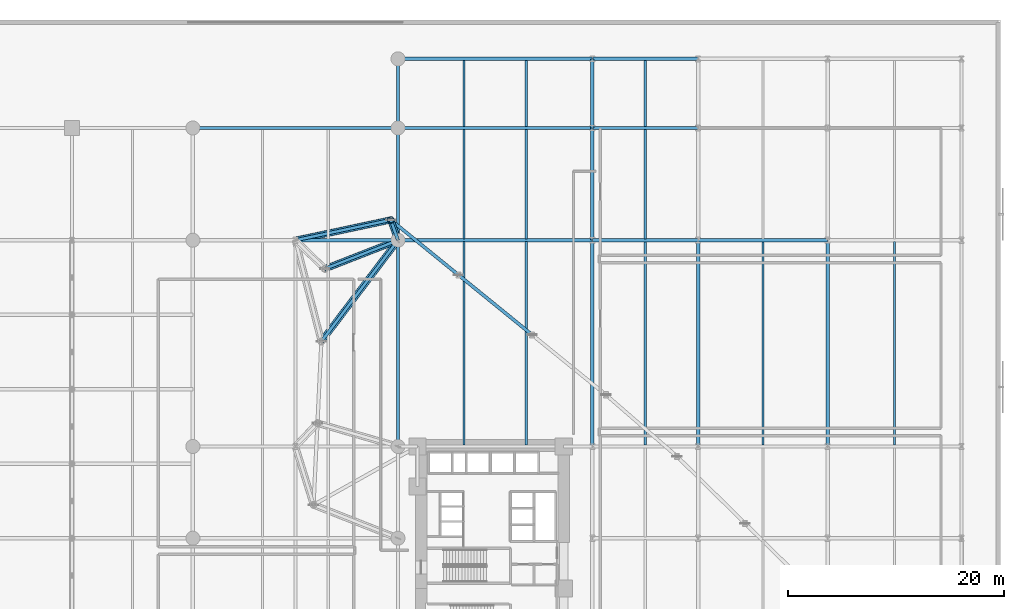
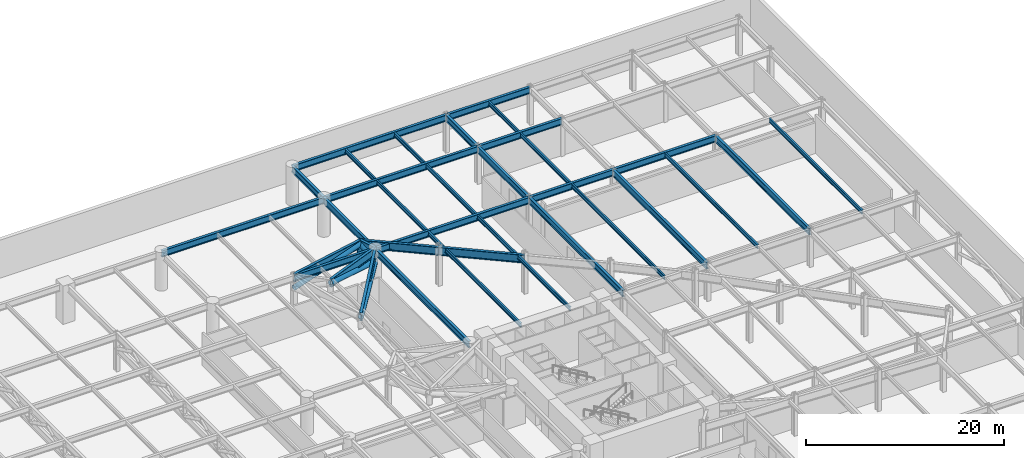
# One storey, part 21 of 40: 34 beams, 5 members.
"""IFC4 building model written with IfcOpenShell, lengths in metres."""

from ifc_helpers import new_model, si_unit, direction, frame, origin, origin_2d, place, context, subcontext, project, spatial, hollow_circle, i_section, extrude, material, material_profile, profile_set, type_object, element, save


model = new_model("IFC4")

# Units and contexts
model_context = context("Model", 3, precision=1e-05, world=origin(), true_north=direction((0.0, 1.0)))
body_context = subcontext(model_context, "Body", "Model", "MODEL_VIEW")
ifc_project = project(units=[si_unit("LENGTHUNIT", "METRE"), si_unit("AREAUNIT", "SQUARE_METRE"), si_unit("VOLUMEUNIT", "CUBIC_METRE"), si_unit("PLANEANGLEUNIT", "RADIAN"), si_unit("MASSUNIT", "GRAM", prefix="KILO")], contexts=[model_context])

# Site, building, storey
site_placement = place(None, origin())
site = spatial("IfcSite", under=ifc_project, at=site_placement, CompositionType="ELEMENT")
building_placement = place(site_placement, origin())
building = spatial("IfcBuilding", under=site, at=building_placement, Name="Narakoshi Arena Tower", CompositionType="ELEMENT")
storey_placement = place(building_placement, frame((0.0, 0.0, 21.60009765625)))
storey = spatial("IfcBuildingStorey", under=building, at=storey_placement, Name="L05", CompositionType="ELEMENT", Elevation=21.60009765625)

# Beams
ifc_material_1 = material(Name="Structural steel S460ML", Category="steel")
ifc_material_profile_1 = material_profile(ifc_material_1, i_section(OverallWidth=0.300048828125, OverallDepth=0.800048828125, WebThickness=0.017578125, FlangeThickness=0.032958984375, FilletRadius=0.030029296875, at=origin_2d()), Name="HE800B")
ifc_profile_set_1 = profile_set([ifc_material_profile_1], Name="Structural steel S460ML")
beam_type_1 = type_object("IfcBeamType", Name="BM-PRI-800", PredefinedType="BEAM", material=ifc_profile_set_1)
beam_1_placement = place(storey_placement, frame((60.699951171875, 75.60009765625, 4.199951171875), z_axis=(1.0, 0.0, 0.0), x_axis=(0.0, 1.0, 0.0)))
element("IfcBeam", 1, at=beam_1_placement, inside=storey, type_object=beam_type_1, Name="L05 Podium Primary X-Girder 048", PredefinedType="BEAM", context=body_context, shape_type="SweptSolid", body=[
    extrude(i_section(OverallWidth=0.300048828125, OverallDepth=0.800048828125, WebThickness=0.017578125, FlangeThickness=0.032958984375, FilletRadius=0.030029296875, at=origin_2d()), origin(), (0.0, 0.0, 1.0), 9.5),
])
beam_2_placement = place(storey_placement, frame((70.199951171875, 75.60009765625, 4.199951171875), z_axis=(1.0, 0.0, 0.0), x_axis=(0.0, 1.0, 0.0)))
element("IfcBeam", 2, at=beam_2_placement, inside=storey, type_object=beam_type_1, Name="L05 Podium Primary X-Girder 049", PredefinedType="BEAM", context=body_context, shape_type="SweptSolid", body=[
    extrude(i_section(OverallWidth=0.300048828125, OverallDepth=0.800048828125, WebThickness=0.017578125, FlangeThickness=0.032958984375, FilletRadius=0.030029296875, at=origin_2d()), origin(), (0.0, 0.0, 1.0), 18.0),
])
beam_3_placement = place(storey_placement, frame((88.199951171875, 75.60009765625, 4.199951171875), z_axis=(1.0, 0.0, 0.0), x_axis=(0.0, 1.0, 0.0)))
element("IfcBeam", 3, at=beam_3_placement, inside=storey, type_object=beam_type_1, Name="L05 Podium Primary X-Girder 050", PredefinedType="BEAM", context=body_context, shape_type="SweptSolid", body=[
    extrude(i_section(OverallWidth=0.300048828125, OverallDepth=0.800048828125, WebThickness=0.017578125, FlangeThickness=0.032958984375, FilletRadius=0.030029296875, at=origin_2d()), origin(), (0.0, 0.0, 1.0), 9.800048828125),
])
beam_4_placement = place(storey_placement, frame((98.0, 75.60009765625, 4.199951171875), z_axis=(1.0, 0.0, 0.0), x_axis=(0.0, 1.0, 0.0)))
element("IfcBeam", 4, at=beam_4_placement, inside=storey, type_object=beam_type_1, Name="L05 Podium Primary X-Girder 051", PredefinedType="BEAM", context=body_context, shape_type="SweptSolid", body=[
    extrude(i_section(OverallWidth=0.300048828125, OverallDepth=0.800048828125, WebThickness=0.017578125, FlangeThickness=0.032958984375, FilletRadius=0.030029296875, at=origin_2d()), origin(), (0.0, 0.0, 1.0), 12.0),
])
beam_5_placement = place(storey_placement, frame((51.199951171875, 86.0, 4.199951171875), z_axis=(1.0, 0.0, 0.0), x_axis=(0.0, 1.0, 0.0)))
element("IfcBeam", 5, at=beam_5_placement, inside=storey, type_object=beam_type_1, Name="L05 Podium Primary X-Girder 057", PredefinedType="BEAM", context=body_context, shape_type="SweptSolid", body=[
    extrude(i_section(OverallWidth=0.300048828125, OverallDepth=0.800048828125, WebThickness=0.017578125, FlangeThickness=0.032958984375, FilletRadius=0.030029296875, at=origin_2d()), origin(), (0.0, 0.0, 1.0), 19.0),
])
beam_6_placement = place(storey_placement, frame((70.199951171875, 86.0, 4.199951171875), z_axis=(1.0, 0.0, 0.0), x_axis=(0.0, 1.0, 0.0)))
element("IfcBeam", 6, at=beam_6_placement, inside=storey, type_object=beam_type_1, Name="L05 Podium Primary X-Girder 058", PredefinedType="BEAM", context=body_context, shape_type="SweptSolid", body=[
    extrude(i_section(OverallWidth=0.300048828125, OverallDepth=0.800048828125, WebThickness=0.017578125, FlangeThickness=0.032958984375, FilletRadius=0.030029296875, at=origin_2d()), origin(), (0.0, 0.0, 1.0), 18.0),
])
beam_7_placement = place(storey_placement, frame((88.199951171875, 86.0, 4.199951171875), z_axis=(1.0, 0.0, 0.0), x_axis=(0.0, 1.0, 0.0)))
element("IfcBeam", 7, at=beam_7_placement, inside=storey, type_object=beam_type_1, Name="L05 Podium Primary X-Girder 059", PredefinedType="BEAM", context=body_context, shape_type="SweptSolid", body=[
    extrude(i_section(OverallWidth=0.300048828125, OverallDepth=0.800048828125, WebThickness=0.017578125, FlangeThickness=0.032958984375, FilletRadius=0.030029296875, at=origin_2d()), origin(), (0.0, 0.0, 1.0), 9.800048828125),
])
beam_8_placement = place(storey_placement, frame((70.199951171875, 92.39990234375, 4.199951171875), z_axis=(1.0, 0.0, 0.0), x_axis=(0.0, 1.0, 0.0)))
element("IfcBeam", 8, at=beam_8_placement, inside=storey, type_object=beam_type_1, Name="L05 Podium Primary X-Girder 062", PredefinedType="BEAM", context=body_context, shape_type="SweptSolid", body=[
    extrude(i_section(OverallWidth=0.300048828125, OverallDepth=0.800048828125, WebThickness=0.017578125, FlangeThickness=0.032958984375, FilletRadius=0.030029296875, at=origin_2d()), origin(), (0.0, 0.0, 1.0), 18.0),
])
beam_9_placement = place(storey_placement, frame((88.199951171875, 92.39990234375, 4.199951171875), z_axis=(1.0, 0.0, 0.0), x_axis=(0.0, 1.0, 0.0)))
element("IfcBeam", 9, at=beam_9_placement, inside=storey, type_object=beam_type_1, Name="L05 Podium Primary X-Girder 063", PredefinedType="BEAM", context=body_context, shape_type="SweptSolid", body=[
    extrude(i_section(OverallWidth=0.300048828125, OverallDepth=0.800048828125, WebThickness=0.017578125, FlangeThickness=0.032958984375, FilletRadius=0.030029296875, at=origin_2d()), origin(), (0.0, 0.0, 1.0), 9.800048828125),
])
beam_10_placement = place(storey_placement, frame((70.199951171875, 56.5, 4.199951171875), z_axis=(0.0, 1.0, 0.0), x_axis=(-1.0, 0.0, 0.0)))
element("IfcBeam", 10, at=beam_10_placement, inside=storey, type_object=beam_type_1, Name="L05 Podium Primary Y-Girder 094", PredefinedType="BEAM", context=body_context, shape_type="SweptSolid", body=[
    extrude(i_section(OverallWidth=0.300048828125, OverallDepth=0.800048828125, WebThickness=0.017578125, FlangeThickness=0.032958984375, FilletRadius=0.030029296875, at=origin_2d()), origin(), (0.0, 0.0, 1.0), 19.10009765625),
])
beam_11_placement = place(storey_placement, frame((70.199951171875, 75.60009765625, 4.199951171875), z_axis=(0.0, 1.0, 0.0), x_axis=(-1.0, 0.0, 0.0)))
element("IfcBeam", 11, at=beam_11_placement, inside=storey, type_object=beam_type_1, Name="L05 Podium Primary Y-Girder 095", PredefinedType="BEAM", context=body_context, shape_type="SweptSolid", body=[
    extrude(i_section(OverallWidth=0.300048828125, OverallDepth=0.800048828125, WebThickness=0.017578125, FlangeThickness=0.032958984375, FilletRadius=0.030029296875, at=origin_2d()), origin(), (0.0, 0.0, 1.0), 10.39990234375),
])
beam_12_placement = place(storey_placement, frame((70.199951171875, 86.0, 4.199951171875), z_axis=(0.0, 1.0, 0.0), x_axis=(-1.0, 0.0, 0.0)))
element("IfcBeam", 12, at=beam_12_placement, inside=storey, type_object=beam_type_1, Name="L05 Podium Primary Y-Girder 096", PredefinedType="BEAM", context=body_context, shape_type="SweptSolid", body=[
    extrude(i_section(OverallWidth=0.300048828125, OverallDepth=0.800048828125, WebThickness=0.017578125, FlangeThickness=0.032958984375, FilletRadius=0.030029296875, at=origin_2d()), origin(), (0.0, 0.0, 1.0), 6.39990234375),
])
beam_13_placement = place(storey_placement, frame((88.199951171875, 56.5, 4.199951171875), z_axis=(0.0, 1.0, 0.0), x_axis=(-1.0, 0.0, 0.0)))
element("IfcBeam", 13, at=beam_13_placement, inside=storey, type_object=beam_type_1, Name="L05 Podium Primary Y-Girder 103", PredefinedType="BEAM", context=body_context, shape_type="SweptSolid", body=[
    extrude(i_section(OverallWidth=0.300048828125, OverallDepth=0.800048828125, WebThickness=0.017578125, FlangeThickness=0.032958984375, FilletRadius=0.030029296875, at=origin_2d()), origin(), (0.0, 0.0, 1.0), 19.10009765625),
])
beam_14_placement = place(storey_placement, frame((88.199951171875, 75.60009765625, 4.199951171875), z_axis=(0.0, 1.0, 0.0), x_axis=(-1.0, 0.0, 0.0)))
element("IfcBeam", 14, at=beam_14_placement, inside=storey, type_object=beam_type_1, Name="L05 Podium Primary Y-Girder 104", PredefinedType="BEAM", context=body_context, shape_type="SweptSolid", body=[
    extrude(i_section(OverallWidth=0.300048828125, OverallDepth=0.800048828125, WebThickness=0.017578125, FlangeThickness=0.032958984375, FilletRadius=0.030029296875, at=origin_2d()), origin(), (0.0, 0.0, 1.0), 10.39990234375),
])
beam_15_placement = place(storey_placement, frame((88.199951171875, 86.0, 4.199951171875), z_axis=(0.0, 1.0, 0.0), x_axis=(-1.0, 0.0, 0.0)))
element("IfcBeam", 15, at=beam_15_placement, inside=storey, type_object=beam_type_1, Name="L05 Podium Primary Y-Girder 105", PredefinedType="BEAM", context=body_context, shape_type="SweptSolid", body=[
    extrude(i_section(OverallWidth=0.300048828125, OverallDepth=0.800048828125, WebThickness=0.017578125, FlangeThickness=0.032958984375, FilletRadius=0.030029296875, at=origin_2d()), origin(), (0.0, 0.0, 1.0), 6.39990234375),
])
for number, where, z_axis, x_axis, name in (
    (16, (98.0, 56.5, 4.199951171875), (0.0, 1.0, 0.0), (-1.0, 0.0, 0.0), "L05 Podium Primary Y-Girder 111"),
    (17, (110.0, 56.5, 4.199951171875), (0.0, 1.0, 0.0), (-1.0, 0.0, 0.0), "L05 Podium Primary Y-Girder 119"),
):
    element("IfcBeam", number, at=place(storey_placement, frame(where, z_axis=z_axis, x_axis=x_axis)), inside=storey, type_object=beam_type_1, Name=name, PredefinedType="BEAM", context=body_context, shape_type="SweptSolid", body=[
        extrude(i_section(OverallWidth=0.300048828125, OverallDepth=0.800048828125, WebThickness=0.017578125, FlangeThickness=0.032958984375, FilletRadius=0.030029296875, at=origin_2d()), origin(), (0.0, 0.0, 1.0), 19.10009765625),
    ])
ifc_material_2 = material(Name="Structural steel S355J2", Category="steel")
ifc_material_profile_2 = material_profile(ifc_material_2, i_section(OverallWidth=0.199951171875, OverallDepth=0.5, WebThickness=0.01025390625, FlangeThickness=0.01611328125, FilletRadius=0.02099609375, at=origin_2d()), Name="IPE500")
ifc_profile_set_2 = profile_set([ifc_material_profile_2], Name="Structural steel S355J2")
beam_type_2 = type_object("IfcBeamType", Name="BM-SEC-500", PredefinedType="JOIST", material=ifc_profile_set_2)
beam_16_placement = place(storey_placement, frame((76.320068359375, 56.635009765625, 4.349853515625), z_axis=(0.0, 1.0, 0.0), x_axis=(-1.0, 0.0, 0.0)))
element("IfcBeam", 18, at=beam_16_placement, inside=storey, type_object=beam_type_2, Name="L05 Podium Composite Floor Joist 023", PredefinedType="JOIST", context=body_context, shape_type="SweptSolid", body=[
    extrude(i_section(OverallWidth=0.199951171875, OverallDepth=0.5, WebThickness=0.01025390625, FlangeThickness=0.01611328125, FilletRadius=0.02099609375, at=origin_2d()), origin(), (0.0, 0.0, 1.0), 18.830078125),
])
beam_17_placement = place(storey_placement, frame((76.320068359375, 75.735107421875, 4.349853515625), z_axis=(0.0, 1.0, 0.0), x_axis=(-1.0, 0.0, 0.0)))
element("IfcBeam", 19, at=beam_17_placement, inside=storey, type_object=beam_type_2, Name="L05 Podium Composite Floor Joist 024", PredefinedType="JOIST", context=body_context, shape_type="SweptSolid", body=[
    extrude(i_section(OverallWidth=0.199951171875, OverallDepth=0.5, WebThickness=0.01025390625, FlangeThickness=0.01611328125, FilletRadius=0.02099609375, at=origin_2d()), origin(), (0.0, 0.0, 1.0), 10.1298828125),
])
beam_18_placement = place(storey_placement, frame((76.320068359375, 86.135009765625, 4.349853515625), z_axis=(0.0, 1.0, 0.0), x_axis=(-1.0, 0.0, 0.0)))
element("IfcBeam", 20, at=beam_18_placement, inside=storey, type_object=beam_type_2, Name="L05 Podium Composite Floor Joist 025", PredefinedType="JOIST", context=body_context, shape_type="SweptSolid", body=[
    extrude(i_section(OverallWidth=0.199951171875, OverallDepth=0.5, WebThickness=0.01025390625, FlangeThickness=0.01611328125, FilletRadius=0.02099609375, at=origin_2d()), origin(), (0.0, 0.0, 1.0), 6.1298828125),
])
beam_19_placement = place(storey_placement, frame((82.080078125, 56.635009765625, 4.349853515625), z_axis=(0.0, 1.0, 0.0), x_axis=(-1.0, 0.0, 0.0)))
element("IfcBeam", 21, at=beam_19_placement, inside=storey, type_object=beam_type_2, Name="L05 Podium Composite Floor Joist 028", PredefinedType="JOIST", context=body_context, shape_type="SweptSolid", body=[
    extrude(i_section(OverallWidth=0.199951171875, OverallDepth=0.5, WebThickness=0.01025390625, FlangeThickness=0.01611328125, FilletRadius=0.02099609375, at=origin_2d()), origin(), (0.0, 0.0, 1.0), 18.830078125),
])
beam_20_placement = place(storey_placement, frame((82.080078125, 75.735107421875, 4.349853515625), z_axis=(0.0, 1.0, 0.0), x_axis=(-1.0, 0.0, 0.0)))
element("IfcBeam", 22, at=beam_20_placement, inside=storey, type_object=beam_type_2, Name="L05 Podium Composite Floor Joist 029", PredefinedType="JOIST", context=body_context, shape_type="SweptSolid", body=[
    extrude(i_section(OverallWidth=0.199951171875, OverallDepth=0.5, WebThickness=0.01025390625, FlangeThickness=0.01611328125, FilletRadius=0.02099609375, at=origin_2d()), origin(), (0.0, 0.0, 1.0), 10.1298828125),
])
beam_21_placement = place(storey_placement, frame((82.080078125, 86.135009765625, 4.349853515625), z_axis=(0.0, 1.0, 0.0), x_axis=(-1.0, 0.0, 0.0)))
element("IfcBeam", 23, at=beam_21_placement, inside=storey, type_object=beam_type_2, Name="L05 Podium Composite Floor Joist 030", PredefinedType="JOIST", context=body_context, shape_type="SweptSolid", body=[
    extrude(i_section(OverallWidth=0.199951171875, OverallDepth=0.5, WebThickness=0.01025390625, FlangeThickness=0.01611328125, FilletRadius=0.02099609375, at=origin_2d()), origin(), (0.0, 0.0, 1.0), 6.1298828125),
])
beam_22_placement = place(storey_placement, frame((93.10009765625, 56.635009765625, 4.349853515625), z_axis=(0.0, 1.0, 0.0), x_axis=(-1.0, 0.0, 0.0)))
element("IfcBeam", 24, at=beam_22_placement, inside=storey, type_object=beam_type_2, Name="L05 Podium Composite Floor Joist 036", PredefinedType="JOIST", context=body_context, shape_type="SweptSolid", body=[
    extrude(i_section(OverallWidth=0.199951171875, OverallDepth=0.5, WebThickness=0.01025390625, FlangeThickness=0.01611328125, FilletRadius=0.02099609375, at=origin_2d()), origin(), (0.0, 0.0, 1.0), 18.830078125),
])
beam_23_placement = place(storey_placement, frame((93.10009765625, 75.735107421875, 4.349853515625), z_axis=(0.0, 1.0, 0.0), x_axis=(-1.0, 0.0, 0.0)))
element("IfcBeam", 25, at=beam_23_placement, inside=storey, type_object=beam_type_2, Name="L05 Podium Composite Floor Joist 037", PredefinedType="JOIST", context=body_context, shape_type="SweptSolid", body=[
    extrude(i_section(OverallWidth=0.199951171875, OverallDepth=0.5, WebThickness=0.01025390625, FlangeThickness=0.01611328125, FilletRadius=0.02099609375, at=origin_2d()), origin(), (0.0, 0.0, 1.0), 10.1298828125),
])
beam_24_placement = place(storey_placement, frame((93.10009765625, 86.135009765625, 4.349853515625), z_axis=(0.0, 1.0, 0.0), x_axis=(-1.0, 0.0, 0.0)))
element("IfcBeam", 26, at=beam_24_placement, inside=storey, type_object=beam_type_2, Name="L05 Podium Composite Floor Joist 038", PredefinedType="JOIST", context=body_context, shape_type="SweptSolid", body=[
    extrude(i_section(OverallWidth=0.199951171875, OverallDepth=0.5, WebThickness=0.01025390625, FlangeThickness=0.01611328125, FilletRadius=0.02099609375, at=origin_2d()), origin(), (0.0, 0.0, 1.0), 6.1298828125),
])
for number, where, z_axis, x_axis, name in (
    (27, (104.0, 56.635009765625, 4.349853515625), (0.0, 1.0, 0.0), (-1.0, 0.0, 0.0), "L05 Podium Composite Floor Joist 044"),
    (28, (116.199951171875, 56.635009765625, 4.349853515625), (0.0, 1.0, 0.0), (-1.0, 0.0, 0.0), "L05 Podium Composite Floor Joist 052"),
):
    element("IfcBeam", number, at=place(storey_placement, frame(where, z_axis=z_axis, x_axis=x_axis)), inside=storey, type_object=beam_type_2, Name=name, PredefinedType="JOIST", context=body_context, shape_type="SweptSolid", body=[
        extrude(i_section(OverallWidth=0.199951171875, OverallDepth=0.5, WebThickness=0.01025390625, FlangeThickness=0.01611328125, FilletRadius=0.02099609375, at=origin_2d()), origin(), (0.0, 0.0, 1.0), 18.830078125),
    ])
ifc_material_profile_3 = material_profile(ifc_material_1, i_section(OverallWidth=0.302001953125, OverallDepth=1.008056640625, WebThickness=0.02099609375, FlangeThickness=0.0400390625, FilletRadius=0.030029296875, at=origin_2d()), Name="HE1000M")
ifc_profile_set_3 = profile_set([ifc_material_profile_3], Name="Structural steel S460ML")
beam_type_3 = type_object("IfcBeamType", Name="BM-XFER-1000", PredefinedType="BEAM", material=ifc_profile_set_3)
beam_25_placement = place(storey_placement, frame((60.699951171875, 75.60009765625, 4.19580078125), z_axis=(0.978013207847, 0.208542957871, 0.0), x_axis=(-0.208542957871, 0.978013207847, 0.0)))
element("IfcBeam", 29, at=beam_25_placement, inside=storey, type_object=beam_type_3, Name="L05 Tower Radial Transfer Girder 12-W", PredefinedType="BEAM", context=body_context, shape_type="SweptSolid", body=[
    extrude(i_section(OverallWidth=0.302001953125, OverallDepth=1.008056640625, WebThickness=0.02099609375, FlangeThickness=0.0400390625, FilletRadius=0.030029296875, at=origin_2d()), origin(), (0.0, 0.0, 1.0), 9.029541015625),
])
beam_26_placement = place(storey_placement, frame((70.199951171875, 75.60009765625, 4.19580078125), z_axis=(-0.334749351276, 0.942307206712, 0.0), x_axis=(-0.942307206712, -0.334749351276, 0.0)))
element("IfcBeam", 30, at=beam_26_placement, inside=storey, type_object=beam_type_3, Name="L05 Tower Radial Transfer Girder 12-E", PredefinedType="BEAM", context=body_context, shape_type="SweptSolid", body=[
    extrude(i_section(OverallWidth=0.302001953125, OverallDepth=1.008056640625, WebThickness=0.02099609375, FlangeThickness=0.0400390625, FilletRadius=0.030029296875, at=origin_2d()), origin(), (0.0, 0.0, 1.0), 1.998291015625),
])
beam_27_placement = place(storey_placement, frame((70.199951171875, 75.60009765625, 4.19580078125), z_axis=(-0.931534336164, -0.363653379673, 0.0), x_axis=(0.363653379673, -0.931534336164, 0.0)))
element("IfcBeam", 31, at=beam_27_placement, inside=storey, type_object=beam_type_3, Name="L05 Tower Radial Transfer Girder 13-E", PredefinedType="BEAM", context=body_context, shape_type="SweptSolid", body=[
    extrude(i_section(OverallWidth=0.302001953125, OverallDepth=1.008056640625, WebThickness=0.02099609375, FlangeThickness=0.0400390625, FilletRadius=0.030029296875, at=origin_2d()), origin(), (0.0, 0.0, 1.0), 7.26953125),
])
beam_28_placement = place(storey_placement, frame((70.199951171875, 75.60009765625, 4.19580078125), z_axis=(-0.603592929849, -0.797292653319, 0.0), x_axis=(0.797292653319, -0.603592929849, 0.0)))
element("IfcBeam", 32, at=beam_28_placement, inside=storey, type_object=beam_type_3, Name="L05 Tower Radial Transfer Girder 14-E", PredefinedType="BEAM", context=body_context, shape_type="SweptSolid", body=[
    extrude(i_section(OverallWidth=0.302001953125, OverallDepth=1.008056640625, WebThickness=0.02099609375, FlangeThickness=0.0400390625, FilletRadius=0.030029296875, at=origin_2d()), origin(), (0.0, 0.0, 1.0), 11.754638671875),
])
beam_29_placement = place(storey_placement, frame((82.626953125, 66.838623046875, 4.19580078125), z_axis=(-0.775997794165, 0.630735620883, 0.0), x_axis=(-0.630735620883, -0.775997794165, 0.0)))
element("IfcBeam", 33, at=beam_29_placement, inside=storey, type_object=beam_type_3, Name="L05 Tower Base Transfer Ring Girder 10", PredefinedType="BEAM", context=body_context, shape_type="SweptSolid", body=[
    extrude(i_section(OverallWidth=0.302001953125, OverallDepth=1.008056640625, WebThickness=0.02099609375, FlangeThickness=0.0400390625, FilletRadius=0.030029296875, at=origin_2d()), origin(), (0.0, 0.0, 1.0), 8.80517578125),
])
beam_30_placement = place(storey_placement, frame((75.794189453125, 72.392333984375, 4.19580078125), z_axis=(-0.775993703931, 0.63074065309, 0.0), x_axis=(-0.63074065309, -0.775993703931, 0.0)))
element("IfcBeam", 34, at=beam_30_placement, inside=storey, type_object=beam_type_3, Name="L05 Tower Base Transfer Ring Girder 11", PredefinedType="BEAM", context=body_context, shape_type="SweptSolid", body=[
    extrude(i_section(OverallWidth=0.302001953125, OverallDepth=1.008056640625, WebThickness=0.02099609375, FlangeThickness=0.0400390625, FilletRadius=0.030029296875, at=origin_2d()), origin(), (0.0, 0.0, 1.0), 8.0712890625),
])

# Members
ifc_material_profile_4 = material_profile(ifc_material_1, hollow_circle(Radius=0.304931640625, WallThickness=0.02490234375, at=origin_2d()), Name="CHS610x25")
ifc_profile_set_4 = profile_set([ifc_material_profile_4], Name="Structural steel S460ML")
member_type = type_object("IfcMemberType", Name="MEM-OUT-610", PredefinedType="BRACE", material=ifc_profile_set_4)
member_1_placement = place(storey_placement, frame((60.699951171875, 75.60009765625, 2.949951171875), z_axis=(0.968834891826, 0.20658585427, 0.136679322487), x_axis=(-0.208542957871, 0.978013207847, 0.0)))
element("IfcMember", 35, at=member_1_placement, inside=storey, type_object=member_type, Name="L05 Tower Transfer Strut Diagonal 12-W", PredefinedType="BRACE", context=body_context, shape_type="SweptSolid", body=[
    extrude(hollow_circle(Radius=0.304931640625, WallThickness=0.02490234375, at=origin_2d()), origin(), (0.0, 0.0, 1.0), 9.115234375),
])
member_2_placement = place(storey_placement, frame((70.199951171875, 75.60009765625, 2.949951171875), z_axis=(-0.284065852763, 0.799635008162, 0.529046732355), x_axis=(-0.942307206712, -0.334749351276, 0.0)))
element("IfcMember", 36, at=member_2_placement, inside=storey, type_object=member_type, Name="L05 Tower Transfer Strut Diagonal 12-E", PredefinedType="BRACE", context=body_context, shape_type="SweptSolid", body=[
    extrude(hollow_circle(Radius=0.304931640625, WallThickness=0.02490234375, at=origin_2d()), origin(), (0.0, 0.0, 1.0), 2.35498046875),
])
member_3_placement = place(storey_placement, frame((69.531005859375, 77.483154296875, 2.949951171875), z_axis=(0.0, 0.0, 1.0), x_axis=(1.0, 0.0, 0.0)))
element("IfcMember", 37, at=member_3_placement, inside=storey, type_object=member_type, Name="L05 Tower Transfer End Post 12", PredefinedType="BRACE", context=body_context, shape_type="SweptSolid", body=[
    extrude(hollow_circle(Radius=0.304931640625, WallThickness=0.02490234375, at=origin_2d()), origin(), (0.0, 0.0, 1.0), 1.245849609375),
])
member_4_placement = place(storey_placement, frame((70.199951171875, 75.60009765625, 2.949951171875), z_axis=(-0.918148108355, -0.358427649611, 0.168919125967), x_axis=(0.363653379673, -0.931534336164, 0.0)))
element("IfcMember", 38, at=member_4_placement, inside=storey, type_object=member_type, Name="L05 Tower Transfer Strut Diagonal 13-E", PredefinedType="BRACE", context=body_context, shape_type="SweptSolid", body=[
    extrude(hollow_circle(Radius=0.304931640625, WallThickness=0.02490234375, at=origin_2d()), origin(), (0.0, 0.0, 1.0), 7.37548828125),
])
member_5_placement = place(storey_placement, frame((70.199951171875, 75.60009765625, 2.949951171875), z_axis=(-0.600230972826, -0.792851806678, 0.105398253822), x_axis=(0.797292653319, -0.603592929849, 0.0)))
element("IfcMember", 39, at=member_5_placement, inside=storey, type_object=member_type, Name="L05 Tower Transfer Strut Diagonal 14-E", PredefinedType="BRACE", context=body_context, shape_type="SweptSolid", body=[
    extrude(hollow_circle(Radius=0.304931640625, WallThickness=0.02490234375, at=origin_2d()), origin(), (0.0, 0.0, 1.0), 11.8203125),
])

save(model, "model.ifc")
